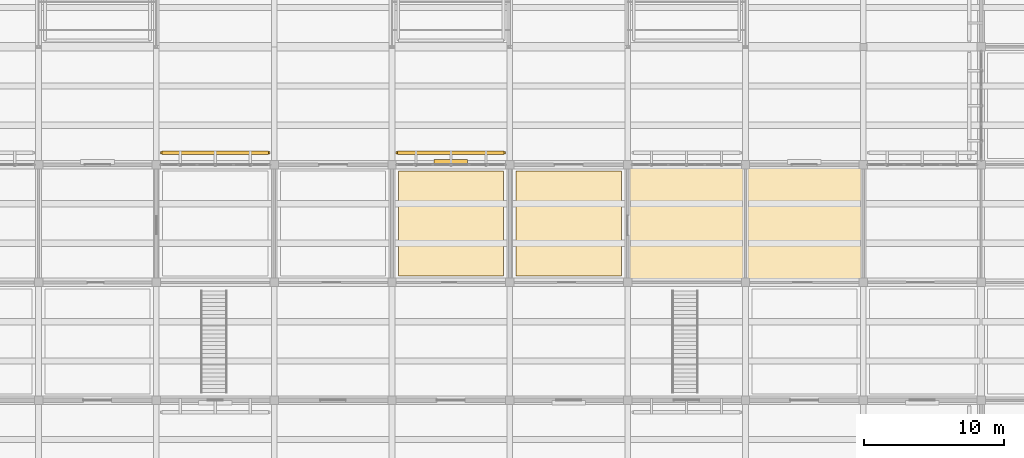
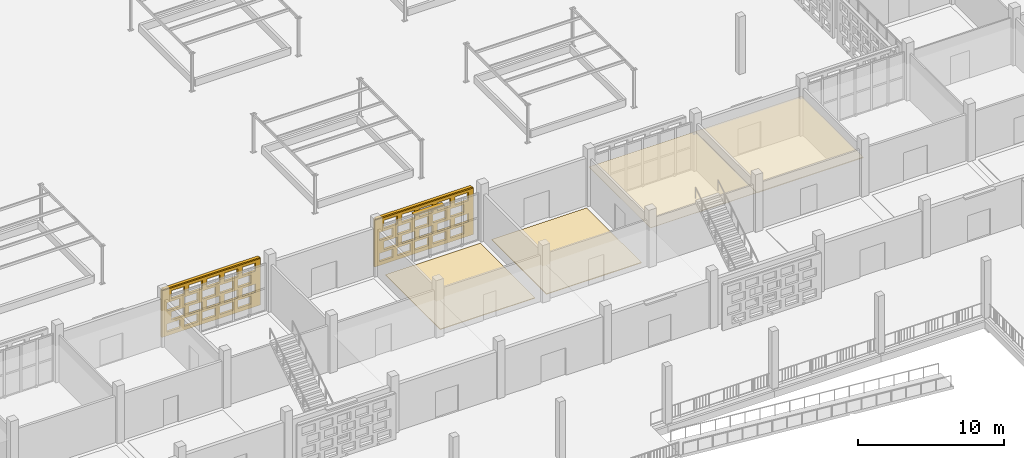
# One storey, part 94 of 129: 6 coverings, 3 shading devices, 40 openings.
"""IFC4 building model written with IfcOpenShell, lengths in metres."""

import ifcopenshell
import ifcopenshell.guid

model = None  # the IFC model being written
_history = None  # IfcOwnerHistory: only IFC2X3 demands one
_inside = {}  # id of a spatial element -> (the spatial element, [elements in it])
_under = {}  # id of a project, library or spatial element -> (it, [spatial elements below it])
_declared = {}  # id of a project -> (the project, [libraries it declares])
_typed = {}  # id of a type object -> (the type object, [elements of that type])
_made_of = {}  # id of a material, layer set ... -> (it, [elements and type objects made of it])


def new_model(schema):
    """Start an empty IFC model of exactly this schema.

    Asked for "IFC4X3", IfcOpenShell would pick the latest addendum, in which some entities
    have other attributes; the version numbers below select the first issue.
    IFC2X3 requires an IfcOwnerHistory on every rooted entity: one is made here for all.
    """
    global model, _history
    if schema == "IFC4X3":
        model = ifcopenshell.file(schema_version=(4, 3, 0, 0))
    else:
        model = ifcopenshell.file(schema=schema)
    _inside.clear()
    _under.clear()
    _declared.clear()
    _typed.clear()
    _made_of.clear()
    _history = None
    if model.schema == "IFC2X3":
        org = make("IfcOrganization", Name="unknown")
        user = make(
            "IfcPersonAndOrganization",
            ThePerson=make("IfcPerson", FamilyName="unknown"),
            TheOrganization=org,
        )
        app = make(
            "IfcApplication",
            ApplicationDeveloper=org,
            Version="unknown",
            ApplicationFullName="unknown",
            ApplicationIdentifier="unknown",
        )
        _history = make(
            "IfcOwnerHistory",
            OwningUser=user,
            OwningApplication=app,
            ChangeAction="ADDED",
            CreationDate=0,
        )
    return model


def make(cls, **values):
    """One entity of the class cls with the attributes given. An attribute that is None is left unset."""
    return model.create_entity(
        cls, **{name: value for name, value in values.items() if value is not None}
    )


def rooted(cls, **values):
    """An entity with a GlobalId (a new one), such as an element, a storey or a relation."""
    return make(cls, GlobalId=ifcopenshell.guid.new(), OwnerHistory=_history, **values)


def si_unit(unit_type, name, prefix=None):
    """IfcSIUnit, for example si_unit("LENGTHUNIT", "METRE", prefix="MILLI")."""
    return make("IfcSIUnit", UnitType=unit_type, Prefix=prefix, Name=name)


def assignment(units):
    """IfcUnitAssignment: the units of a project."""
    return None if units is None else make("IfcUnitAssignment", Units=units)


def point(xyz):
    """IfcCartesianPoint."""
    return None if xyz is None else make("IfcCartesianPoint", Coordinates=xyz)


def direction(xyz):
    """IfcDirection."""
    return None if xyz is None else make("IfcDirection", DirectionRatios=xyz)


def frame(location, z_axis=None, x_axis=None):
    """IfcAxis2Placement3D, a coordinate frame: its origin and axes. An axis left out is left unset."""
    return make(
        "IfcAxis2Placement3D",
        Location=point(location),
        Axis=direction(z_axis),
        RefDirection=direction(x_axis),
    )


def frame_2d(location, x_axis=None):
    """IfcAxis2Placement2D, a coordinate frame in the plane: its origin and x axis."""
    return make(
        "IfcAxis2Placement2D", Location=point(location), RefDirection=direction(x_axis)
    )


def origin():
    """The frame at (0, 0, 0) with its axes left unset."""
    return frame((0.0, 0.0, 0.0))


def origin_2d():
    """The frame at (0, 0) in the plane with its x axis left unset."""
    return frame_2d((0.0, 0.0))


def place(relative_to, where):
    """IfcLocalPlacement: puts the frame where relative to a parent placement (None: the world)."""
    return make(
        "IfcLocalPlacement", PlacementRelTo=relative_to, RelativePlacement=where
    )


def context(
    kind, dimensions, precision=None, world=None, true_north=None, identifier=None
):
    """IfcGeometricRepresentationContext, for example the 3D "Model" context."""
    return make(
        "IfcGeometricRepresentationContext",
        ContextIdentifier=identifier,
        ContextType=kind,
        CoordinateSpaceDimension=dimensions,
        Precision=precision,
        WorldCoordinateSystem=world,
        TrueNorth=true_north,
    )


def subcontext(parent, identifier, kind, view, scale=None):
    """IfcGeometricRepresentationSubContext, for example "Body" below "Model"."""
    return make(
        "IfcGeometricRepresentationSubContext",
        ContextIdentifier=identifier,
        ContextType=kind,
        ParentContext=parent,
        TargetScale=scale,
        TargetView=view,
    )


def project(units=None, contexts=None):
    """IfcProject with its units and contexts."""
    return rooted(
        "IfcProject",
        Name="project",
        RepresentationContexts=contexts,
        UnitsInContext=assignment(units),
    )


def spatial(cls, under=None, at=None, **own):
    """A site, building, storey or space (cls), placed at a placement, below another one or the project."""
    s = rooted(cls, ObjectPlacement=at, **own)
    if under is not None:
        _under.setdefault(under.id(), (under, []))[1].append(s)
    return s


def profile(cls, at=None, kind="AREA", **sizes):
    """A parametric profile (cls). Its sizes go by their IFC names, for example OverallWidth=200.0."""
    return make(cls, ProfileType=kind, Position=at, **sizes)


def rectangle(**sizes):
    """IfcRectangleProfileDef."""
    return profile("IfcRectangleProfileDef", **sizes)


def extrude(swept, where, along, depth):
    """IfcExtrudedAreaSolid: the profile swept, set in the frame where, extruded along a direction by depth."""
    return make(
        "IfcExtrudedAreaSolid",
        SweptArea=swept,
        Position=where,
        ExtrudedDirection=direction(along),
        Depth=depth,
    )


def shape(context_of_items, identifier, shape_type, items):
    """IfcShapeRepresentation: the items that make up one representation, for example the "Body"."""
    return make(
        "IfcShapeRepresentation",
        ContextOfItems=context_of_items,
        RepresentationIdentifier=identifier,
        RepresentationType=shape_type,
        Items=items,
    )


def material(Name=None, Category=None):
    """IfcMaterial."""
    return make("IfcMaterial", Name=Name, Category=Category)


def layer(
    of_material, thickness, ventilated=None, Name=None, Category=None, Priority=None
):
    """IfcMaterialLayer: one layer of a wall or slab, of a material (None: an air gap)."""
    return make(
        "IfcMaterialLayer",
        Material=of_material,
        LayerThickness=thickness,
        IsVentilated=ventilated,
        Name=Name,
        Category=Category,
        Priority=Priority,
    )


def layer_set(layers, Name=None):
    """IfcMaterialLayerSet."""
    return make("IfcMaterialLayerSet", MaterialLayers=layers, LayerSetName=Name)


def made_of(thing, what):
    """Note that an element or type object is made of a material, layer set ...; save() writes the relation."""
    if what is not None:
        _made_of.setdefault(what.id(), (what, []))[1].append(thing)
    return thing


def type_object(cls, material=None, **own):
    """A type object (cls), such as IfcWallType, which elements share."""
    return made_of(rooted(cls, **own), material)


def element(
    cls,
    number,
    at=None,
    inside=None,
    cuts=None,
    type_object=None,
    material=None,
    context=None,
    identifier="Body",
    shape_type=None,
    held_by="IfcProductDefinitionShape",
    body=None,
    shapes=None,
    **own,
):
    """One element of the class cls, such as IfcWall. Its Tag is "e" and its number.

    at: its placement. inside: the storey or other place that contains it. cuts: it is an
    opening in that element (IfcRelVoidsElement). A single representation is given by context,
    identifier, shape_type and body (its items); several are given by shapes. held_by: the class
    of the entity that holds the representations. save() writes the other relations.
    """
    e = rooted(cls, Tag="e%d" % number, ObjectPlacement=at, **own)
    if body is not None:
        shapes = [shape(context, identifier, shape_type, body)]
    if shapes is not None:
        e.Representation = make(held_by, Representations=shapes)
    if inside is not None:
        _inside.setdefault(inside.id(), (inside, []))[1].append(e)
    if cuts is not None:
        rooted(
            "IfcRelVoidsElement", RelatingBuildingElement=cuts, RelatedOpeningElement=e
        )
    if type_object is not None:
        _typed.setdefault(type_object.id(), (type_object, []))[1].append(e)
    return made_of(e, material)


def aggregate(whole, parts):
    """IfcRelAggregates: a whole, such as a stair, and the parts it consists of."""
    return rooted("IfcRelAggregates", RelatingObject=whole, RelatedObjects=parts)


def save(model, path):
    """Write the relations noted so far, then the file.

    IfcRelAggregates (storeys below a building ...), IfcRelContainedInSpatialStructure (elements
    in a storey), IfcRelDefinesByType, IfcRelAssociatesMaterial and IfcRelDeclares: one each for
    every whole, place, type object, material and project.
    """
    for whole, parts in _under.values():
        aggregate(whole, parts)
    for where, things in _inside.values():
        rooted(
            "IfcRelContainedInSpatialStructure",
            RelatedElements=things,
            RelatingStructure=where,
        )
    for kind, things in _typed.values():
        rooted("IfcRelDefinesByType", RelatedObjects=things, RelatingType=kind)
    for what, things in _made_of.values():
        rooted("IfcRelAssociatesMaterial", RelatedObjects=things, RelatingMaterial=what)
    for by, libraries in _declared.values():
        rooted("IfcRelDeclares", RelatingContext=by, RelatedDefinitions=libraries)
    model.write(path)


model = new_model("IFC4")

# Units and contexts
model_context = context("Model", 3, precision=1e-05, world=origin(), true_north=direction((0.0, 1.0)))
body_context = subcontext(model_context, "Body", "Model", "MODEL_VIEW")
ifc_project = project(units=[si_unit("LENGTHUNIT", "METRE"), si_unit("AREAUNIT", "SQUARE_METRE"), si_unit("VOLUMEUNIT", "CUBIC_METRE"), si_unit("PLANEANGLEUNIT", "RADIAN"), si_unit("MASSUNIT", "GRAM", prefix="KILO")], contexts=[model_context])

# Site, building, storey
site_placement = place(None, origin())
site = spatial("IfcSite", under=ifc_project, at=site_placement, CompositionType="ELEMENT")
building_placement = place(site_placement, origin())
building = spatial("IfcBuilding", under=site, at=building_placement, Name="Varnapada Polytechnic", CompositionType="ELEMENT")
storey_placement = place(building_placement, origin())
storey = spatial("IfcBuildingStorey", under=building, at=storey_placement, Name="L00", CompositionType="ELEMENT", Elevation=0.0)

# Coverings
ifc_material_1 = material(Name="Anti-Static Raised Laboratory Flooring")
ifc_layer_1 = layer(ifc_material_1, 0.06005859375)
ifc_layer_set_1 = layer_set([ifc_layer_1], Name="Anti-Static Raised Laboratory Flooring")
covering_type_1 = type_object("IfcCoveringType", Name="Floor Finish FLR-02", PredefinedType="FLOORING", material=ifc_layer_set_1)
covering_1_placement = place(storey_placement, frame((105.0, 37.800048828125, 0.0), z_axis=(0.0, 0.0, 1.0), x_axis=(1.0, 0.0, 0.0)))
element("IfcCovering", 1, at=covering_1_placement, inside=storey, type_object=covering_type_1, Name="L00 floor finish panel (13,5)", PredefinedType="FLOORING", context=body_context, shape_type="SweptSolid", body=[
    extrude(rectangle(XDim=7.5, YDim=7.5, at=origin_2d()), origin(), (0.0, 0.0, 1.0), 0.06005859375),
])
ifc_material_2 = material(Name="End-Grain Timber Studio Block Flooring", Category="wood")
ifc_layer_2 = layer(ifc_material_2, 0.054931640625)
ifc_layer_set_2 = layer_set([ifc_layer_2], Name="End-Grain Timber Studio Block Flooring")
covering_type_2 = type_object("IfcCoveringType", Name="Floor Finish FLR-04", PredefinedType="FLOORING", material=ifc_layer_set_2)
covering_2_placement = place(storey_placement, frame((96.60009765625, 37.800048828125, 0.0), z_axis=(0.0, 0.0, 1.0), x_axis=(1.0, 0.0, 0.0)))
element("IfcCovering", 2, at=covering_2_placement, inside=storey, type_object=covering_type_2, Name="L00 floor finish panel (12,5)", PredefinedType="FLOORING", context=body_context, shape_type="SweptSolid", body=[
    extrude(rectangle(XDim=7.5, YDim=7.5, at=origin_2d()), origin(), (0.0, 0.0, 1.0), 0.054931640625),
])

# Shading device
ifc_material_3 = material(Name="Anodised aluminium", Category="aluminium")
ifc_layer_3 = layer(ifc_material_3, 0.35009765625)
ifc_layer_set_3 = layer_set([ifc_layer_3], Name="Anodised aluminium")
shading_device_type_1 = type_object("IfcShadingDeviceType", Name="Solar Louvre LVR-01", PredefinedType="JALOUSIE", material=ifc_layer_set_3)
shading_device_placement = place(storey_placement, frame((96.60009765625, 42.179931640625, 3.760009765625), z_axis=(0.0, 0.0, 1.0), x_axis=(1.0, 0.0, 0.0)))
element("IfcShadingDevice", 3, at=shading_device_placement, inside=storey, type_object=shading_device_type_1, Name="L00 aluminium sun louvre 61", PredefinedType="JALOUSIE", context=body_context, shape_type="SweptSolid", body=[
    extrude(rectangle(XDim=2.39990234375, YDim=0.340087890625, at=origin_2d()), origin(), (0.0, 0.0, 1.0), 0.1201171875),
])

# Coverings
ifc_material_4 = material(Name="Moisture-Resistant Aluminum Baffle Ceiling", Category="aluminium")
ifc_layer_4 = layer(ifc_material_4, 0.030029296875)
ifc_layer_set_4 = layer_set([ifc_layer_4], Name="Moisture-Resistant Aluminum Baffle Ceiling")
covering_type_3 = type_object("IfcCoveringType", Name="Suspended Ceiling CLG-03", PredefinedType="CEILING", material=ifc_layer_set_4)
covering_3_placement = place(storey_placement, frame((113.39990234375, 37.800048828125, 3.03515625), z_axis=(0.0, 0.0, 1.0), x_axis=(1.0, 0.0, 0.0)))
element("IfcCovering", 4, at=covering_3_placement, inside=storey, type_object=covering_type_3, Name="L00 suspended acoustic ceiling (14,5)", PredefinedType="CEILING", context=body_context, shape_type="SweptSolid", body=[
    extrude(rectangle(XDim=8.419921875, YDim=8.419921875, at=origin_2d()), origin(), (0.0, 0.0, 1.0), 0.030029296875),
])
ifc_material_5 = material(Name="Deep Acoustic Auditorium Cloud Baffle")
ifc_layer_5 = layer(ifc_material_5, 0.06494140625)
ifc_layer_set_5 = layer_set([ifc_layer_5], Name="Deep Acoustic Auditorium Cloud Baffle")
covering_type_4 = type_object("IfcCoveringType", Name="Suspended Ceiling CLG-07", PredefinedType="CEILING", material=ifc_layer_set_5)
covering_4_placement = place(storey_placement, frame((121.800048828125, 37.800048828125, 3.017578125), z_axis=(0.0, 0.0, 1.0), x_axis=(1.0, 0.0, 0.0)))
element("IfcCovering", 5, at=covering_4_placement, inside=storey, type_object=covering_type_4, Name="L00 suspended acoustic ceiling (15,5)", PredefinedType="CEILING", context=body_context, shape_type="SweptSolid", body=[
    extrude(rectangle(XDim=8.419921875, YDim=8.419921875, at=origin_2d()), origin(), (0.0, 0.0, 1.0), 0.06494140625),
])

# Covering, openings
ifc_material_6 = material(Name="Earth-toned architectural terracotta screen block", Category="masonry")
ifc_layer_6 = layer(ifc_material_6, 0.1201171875)
ifc_layer_set_6 = layer_set([ifc_layer_6], Name="Earth-toned architectural terracotta screen block")
covering_type_5 = type_object("IfcCoveringType", Name="Terracotta Screen Cladding CLD-01", PredefinedType="CLADDING", material=ifc_layer_set_6)
covering_5_placement = place(storey_placement, frame((75.89990234375, 42.85009765625, 0.0), z_axis=(0.0, 0.0, 1.0), x_axis=(1.0, 0.0, 0.0)))
covering_5 = element("IfcCovering", 6, at=covering_5_placement, inside=storey, type_object=covering_type_5, Name="L00 perforated terracotta block screen (53)", PredefinedType="CLADDING", context=body_context, shape_type="SweptSolid", body=[
    extrude(rectangle(XDim=7.800048828125, YDim=0.179931640625, at=frame_2d((3.89990234375, 0.0))), origin(), (0.0, 0.0, 1.0), 3.919921875),
])
opening_1_placement = place(covering_5_placement, frame((0.39990234375, 0.0, 0.313720703125)))
element("IfcOpeningElement", 7, at=opening_1_placement, cuts=covering_5, Name="Screen perforation TBS-L00-052.1", PredefinedType="OPENING", context=body_context, shape_type="SweptSolid", body=[
    extrude(rectangle(XDim=1.0400390625, YDim=0.679931640625, at=frame_2d((0.52001953125, 0.33984375))), frame((0.0, 0.099853515625, 0.0), z_axis=(0.0, -1.0, 0.0), x_axis=(1.0, 0.0, 0.0)), (0.0, 0.0, 1.0), 0.199951171875),
])
opening_2_placement = place(covering_5_placement, frame((1.800048828125, 0.0, 0.313720703125)))
element("IfcOpeningElement", 8, at=opening_2_placement, cuts=covering_5, Name="Screen perforation TBS-L00-052.2", PredefinedType="OPENING", context=body_context, shape_type="SweptSolid", body=[
    extrude(rectangle(XDim=1.0400390625, YDim=0.679931640625, at=frame_2d((0.52001953125, 0.33984375))), frame((0.0, 0.099853515625, 0.0), z_axis=(0.0, -1.0, 0.0), x_axis=(1.0, 0.0, 0.0)), (0.0, 0.0, 1.0), 0.199951171875),
])
opening_3_placement = place(covering_5_placement, frame((3.199951171875, 0.0, 0.313720703125)))
element("IfcOpeningElement", 9, at=opening_3_placement, cuts=covering_5, Name="Screen perforation TBS-L00-052.3", PredefinedType="OPENING", context=body_context, shape_type="SweptSolid", body=[
    extrude(rectangle(XDim=1.0400390625, YDim=0.679931640625, at=frame_2d((0.52001953125, 0.33984375))), frame((0.0, 0.099853515625, 0.0), z_axis=(0.0, -1.0, 0.0), x_axis=(1.0, 0.0, 0.0)), (0.0, 0.0, 1.0), 0.199951171875),
])
opening_4_placement = place(covering_5_placement, frame((4.60009765625, 0.0, 0.313720703125)))
element("IfcOpeningElement", 10, at=opening_4_placement, cuts=covering_5, Name="Screen perforation TBS-L00-052.4", PredefinedType="OPENING", context=body_context, shape_type="SweptSolid", body=[
    extrude(rectangle(XDim=1.0400390625, YDim=0.679931640625, at=frame_2d((0.52001953125, 0.33984375))), frame((0.0, 0.099853515625, 0.0), z_axis=(0.0, -1.0, 0.0), x_axis=(1.0, 0.0, 0.0)), (0.0, 0.0, 1.0), 0.199951171875),
])
opening_5_placement = place(covering_5_placement, frame((6.0, 0.0, 0.313720703125)))
element("IfcOpeningElement", 11, at=opening_5_placement, cuts=covering_5, Name="Screen perforation TBS-L00-052.5", PredefinedType="OPENING", context=body_context, shape_type="SweptSolid", body=[
    extrude(rectangle(XDim=1.0400390625, YDim=0.679931640625, at=frame_2d((0.52001953125, 0.33984375))), frame((0.0, 0.099853515625, 0.0), z_axis=(0.0, -1.0, 0.0), x_axis=(1.0, 0.0, 0.0)), (0.0, 0.0, 1.0), 0.199951171875),
])
opening_6_placement = place(covering_5_placement, frame((0.760009765625, 0.0, 1.195556640625)))
element("IfcOpeningElement", 12, at=opening_6_placement, cuts=covering_5, Name="Screen perforation TBS-L00-052.6", PredefinedType="OPENING", context=body_context, shape_type="SweptSolid", body=[
    extrude(rectangle(XDim=1.0400390625, YDim=0.679931640625, at=frame_2d((0.52001953125, 0.33984375))), frame((0.0, 0.099853515625, 0.0), z_axis=(0.0, -1.0, 0.0), x_axis=(1.0, 0.0, 0.0)), (0.0, 0.0, 1.0), 0.199951171875),
])
opening_7_placement = place(covering_5_placement, frame((2.159912109375, 0.0, 1.195556640625)))
element("IfcOpeningElement", 13, at=opening_7_placement, cuts=covering_5, Name="Screen perforation TBS-L00-052.7", PredefinedType="OPENING", context=body_context, shape_type="SweptSolid", body=[
    extrude(rectangle(XDim=1.0400390625, YDim=0.679931640625, at=frame_2d((0.52001953125, 0.33984375))), frame((0.0, 0.099853515625, 0.0), z_axis=(0.0, -1.0, 0.0), x_axis=(1.0, 0.0, 0.0)), (0.0, 0.0, 1.0), 0.199951171875),
])
opening_8_placement = place(covering_5_placement, frame((3.56005859375, 0.0, 1.195556640625)))
element("IfcOpeningElement", 14, at=opening_8_placement, cuts=covering_5, Name="Screen perforation TBS-L00-052.8", PredefinedType="OPENING", context=body_context, shape_type="SweptSolid", body=[
    extrude(rectangle(XDim=1.0400390625, YDim=0.679931640625, at=frame_2d((0.52001953125, 0.33984375))), frame((0.0, 0.099853515625, 0.0), z_axis=(0.0, -1.0, 0.0), x_axis=(1.0, 0.0, 0.0)), (0.0, 0.0, 1.0), 0.199951171875),
])
opening_9_placement = place(covering_5_placement, frame((4.9599609375, 0.0, 1.195556640625)))
element("IfcOpeningElement", 15, at=opening_9_placement, cuts=covering_5, Name="Screen perforation TBS-L00-052.9", PredefinedType="OPENING", context=body_context, shape_type="SweptSolid", body=[
    extrude(rectangle(XDim=1.0400390625, YDim=0.679931640625, at=frame_2d((0.52001953125, 0.33984375))), frame((0.0, 0.099853515625, 0.0), z_axis=(0.0, -1.0, 0.0), x_axis=(1.0, 0.0, 0.0)), (0.0, 0.0, 1.0), 0.199951171875),
])
opening_10_placement = place(covering_5_placement, frame((6.360107421875, 0.0, 1.195556640625)))
element("IfcOpeningElement", 16, at=opening_10_placement, cuts=covering_5, Name="Screen perforation TBS-L00-052.10", PredefinedType="OPENING", context=body_context, shape_type="SweptSolid", body=[
    extrude(rectangle(XDim=1.0400390625, YDim=0.679931640625, at=frame_2d((0.52001953125, 0.33984375))), frame((0.0, 0.099853515625, 0.0), z_axis=(0.0, -1.0, 0.0), x_axis=(1.0, 0.0, 0.0)), (0.0, 0.0, 1.0), 0.199951171875),
])
opening_11_placement = place(covering_5_placement, frame((0.39990234375, 0.0, 2.07763671875)))
element("IfcOpeningElement", 17, at=opening_11_placement, cuts=covering_5, Name="Screen perforation TBS-L00-052.11", PredefinedType="OPENING", context=body_context, shape_type="SweptSolid", body=[
    extrude(rectangle(XDim=1.0400390625, YDim=0.679931640625, at=frame_2d((0.52001953125, 0.33984375))), frame((0.0, 0.099853515625, 0.0), z_axis=(0.0, -1.0, 0.0), x_axis=(1.0, 0.0, 0.0)), (0.0, 0.0, 1.0), 0.199951171875),
])
opening_12_placement = place(covering_5_placement, frame((1.800048828125, 0.0, 2.07763671875)))
element("IfcOpeningElement", 18, at=opening_12_placement, cuts=covering_5, Name="Screen perforation TBS-L00-052.12", PredefinedType="OPENING", context=body_context, shape_type="SweptSolid", body=[
    extrude(rectangle(XDim=1.0400390625, YDim=0.679931640625, at=frame_2d((0.52001953125, 0.33984375))), frame((0.0, 0.099853515625, 0.0), z_axis=(0.0, -1.0, 0.0), x_axis=(1.0, 0.0, 0.0)), (0.0, 0.0, 1.0), 0.199951171875),
])
opening_13_placement = place(covering_5_placement, frame((3.199951171875, 0.0, 2.07763671875)))
element("IfcOpeningElement", 19, at=opening_13_placement, cuts=covering_5, Name="Screen perforation TBS-L00-052.13", PredefinedType="OPENING", context=body_context, shape_type="SweptSolid", body=[
    extrude(rectangle(XDim=1.0400390625, YDim=0.679931640625, at=frame_2d((0.52001953125, 0.33984375))), frame((0.0, 0.099853515625, 0.0), z_axis=(0.0, -1.0, 0.0), x_axis=(1.0, 0.0, 0.0)), (0.0, 0.0, 1.0), 0.199951171875),
])
opening_14_placement = place(covering_5_placement, frame((4.60009765625, 0.0, 2.07763671875)))
element("IfcOpeningElement", 20, at=opening_14_placement, cuts=covering_5, Name="Screen perforation TBS-L00-052.14", PredefinedType="OPENING", context=body_context, shape_type="SweptSolid", body=[
    extrude(rectangle(XDim=1.0400390625, YDim=0.679931640625, at=frame_2d((0.52001953125, 0.33984375))), frame((0.0, 0.099853515625, 0.0), z_axis=(0.0, -1.0, 0.0), x_axis=(1.0, 0.0, 0.0)), (0.0, 0.0, 1.0), 0.199951171875),
])
opening_15_placement = place(covering_5_placement, frame((6.0, 0.0, 2.07763671875)))
element("IfcOpeningElement", 21, at=opening_15_placement, cuts=covering_5, Name="Screen perforation TBS-L00-052.15", PredefinedType="OPENING", context=body_context, shape_type="SweptSolid", body=[
    extrude(rectangle(XDim=1.0400390625, YDim=0.679931640625, at=frame_2d((0.52001953125, 0.33984375))), frame((0.0, 0.099853515625, 0.0), z_axis=(0.0, -1.0, 0.0), x_axis=(1.0, 0.0, 0.0)), (0.0, 0.0, 1.0), 0.199951171875),
])
opening_16_placement = place(covering_5_placement, frame((0.760009765625, 0.0, 2.959716796875)))
element("IfcOpeningElement", 22, at=opening_16_placement, cuts=covering_5, Name="Screen perforation TBS-L00-052.16", PredefinedType="OPENING", context=body_context, shape_type="SweptSolid", body=[
    extrude(rectangle(XDim=1.0400390625, YDim=0.679931640625, at=frame_2d((0.52001953125, 0.33984375))), frame((0.0, 0.099853515625, 0.0), z_axis=(0.0, -1.0, 0.0), x_axis=(1.0, 0.0, 0.0)), (0.0, 0.0, 1.0), 0.199951171875),
])
opening_17_placement = place(covering_5_placement, frame((2.159912109375, 0.0, 2.959716796875)))
element("IfcOpeningElement", 23, at=opening_17_placement, cuts=covering_5, Name="Screen perforation TBS-L00-052.17", PredefinedType="OPENING", context=body_context, shape_type="SweptSolid", body=[
    extrude(rectangle(XDim=1.0400390625, YDim=0.679931640625, at=frame_2d((0.52001953125, 0.33984375))), frame((0.0, 0.099853515625, 0.0), z_axis=(0.0, -1.0, 0.0), x_axis=(1.0, 0.0, 0.0)), (0.0, 0.0, 1.0), 0.199951171875),
])
opening_18_placement = place(covering_5_placement, frame((3.56005859375, 0.0, 2.959716796875)))
element("IfcOpeningElement", 24, at=opening_18_placement, cuts=covering_5, Name="Screen perforation TBS-L00-052.18", PredefinedType="OPENING", context=body_context, shape_type="SweptSolid", body=[
    extrude(rectangle(XDim=1.0400390625, YDim=0.679931640625, at=frame_2d((0.52001953125, 0.33984375))), frame((0.0, 0.099853515625, 0.0), z_axis=(0.0, -1.0, 0.0), x_axis=(1.0, 0.0, 0.0)), (0.0, 0.0, 1.0), 0.199951171875),
])
opening_19_placement = place(covering_5_placement, frame((4.9599609375, 0.0, 2.959716796875)))
element("IfcOpeningElement", 25, at=opening_19_placement, cuts=covering_5, Name="Screen perforation TBS-L00-052.19", PredefinedType="OPENING", context=body_context, shape_type="SweptSolid", body=[
    extrude(rectangle(XDim=1.0400390625, YDim=0.679931640625, at=frame_2d((0.52001953125, 0.33984375))), frame((0.0, 0.099853515625, 0.0), z_axis=(0.0, -1.0, 0.0), x_axis=(1.0, 0.0, 0.0)), (0.0, 0.0, 1.0), 0.199951171875),
])
opening_20_placement = place(covering_5_placement, frame((6.360107421875, 0.0, 2.959716796875)))
element("IfcOpeningElement", 26, at=opening_20_placement, cuts=covering_5, Name="Screen perforation TBS-L00-052.20", PredefinedType="OPENING", context=body_context, shape_type="SweptSolid", body=[
    extrude(rectangle(XDim=1.0400390625, YDim=0.679931640625, at=frame_2d((0.52001953125, 0.33984375))), frame((0.0, 0.099853515625, 0.0), z_axis=(0.0, -1.0, 0.0), x_axis=(1.0, 0.0, 0.0)), (0.0, 0.0, 1.0), 0.199951171875),
])

covering_6_placement = place(storey_placement, frame((92.699951171875, 42.85009765625, 0.0), z_axis=(0.0, 0.0, 1.0), x_axis=(1.0, 0.0, 0.0)))
covering_6 = element("IfcCovering", 27, at=covering_6_placement, inside=storey, type_object=covering_type_5, Name="L00 perforated terracotta block screen (61)", PredefinedType="CLADDING", context=body_context, shape_type="SweptSolid", body=[
    extrude(rectangle(XDim=7.800048828125, YDim=0.179931640625, at=frame_2d((3.89990234375, 0.0))), origin(), (0.0, 0.0, 1.0), 3.919921875),
])
opening_21_placement = place(covering_6_placement, frame((0.39990234375, 0.0, 0.313720703125)))
element("IfcOpeningElement", 28, at=opening_21_placement, cuts=covering_6, Name="Screen perforation TBS-L00-060.1", PredefinedType="OPENING", context=body_context, shape_type="SweptSolid", body=[
    extrude(rectangle(XDim=1.0400390625, YDim=0.679931640625, at=frame_2d((0.52001953125, 0.33984375))), frame((0.0, 0.099853515625, 0.0), z_axis=(0.0, -1.0, 0.0), x_axis=(1.0, 0.0, 0.0)), (0.0, 0.0, 1.0), 0.199951171875),
])
opening_22_placement = place(covering_6_placement, frame((1.800048828125, 0.0, 0.313720703125)))
element("IfcOpeningElement", 29, at=opening_22_placement, cuts=covering_6, Name="Screen perforation TBS-L00-060.2", PredefinedType="OPENING", context=body_context, shape_type="SweptSolid", body=[
    extrude(rectangle(XDim=1.0400390625, YDim=0.679931640625, at=frame_2d((0.52001953125, 0.33984375))), frame((0.0, 0.099853515625, 0.0), z_axis=(0.0, -1.0, 0.0), x_axis=(1.0, 0.0, 0.0)), (0.0, 0.0, 1.0), 0.199951171875),
])
opening_23_placement = place(covering_6_placement, frame((3.199951171875, 0.0, 0.313720703125)))
element("IfcOpeningElement", 30, at=opening_23_placement, cuts=covering_6, Name="Screen perforation TBS-L00-060.3", PredefinedType="OPENING", context=body_context, shape_type="SweptSolid", body=[
    extrude(rectangle(XDim=1.0400390625, YDim=0.679931640625, at=frame_2d((0.52001953125, 0.33984375))), frame((0.0, 0.099853515625, 0.0), z_axis=(0.0, -1.0, 0.0), x_axis=(1.0, 0.0, 0.0)), (0.0, 0.0, 1.0), 0.199951171875),
])
opening_24_placement = place(covering_6_placement, frame((4.60009765625, 0.0, 0.313720703125)))
element("IfcOpeningElement", 31, at=opening_24_placement, cuts=covering_6, Name="Screen perforation TBS-L00-060.4", PredefinedType="OPENING", context=body_context, shape_type="SweptSolid", body=[
    extrude(rectangle(XDim=1.0400390625, YDim=0.679931640625, at=frame_2d((0.52001953125, 0.33984375))), frame((0.0, 0.099853515625, 0.0), z_axis=(0.0, -1.0, 0.0), x_axis=(1.0, 0.0, 0.0)), (0.0, 0.0, 1.0), 0.199951171875),
])
opening_25_placement = place(covering_6_placement, frame((6.0, 0.0, 0.313720703125)))
element("IfcOpeningElement", 32, at=opening_25_placement, cuts=covering_6, Name="Screen perforation TBS-L00-060.5", PredefinedType="OPENING", context=body_context, shape_type="SweptSolid", body=[
    extrude(rectangle(XDim=1.0400390625, YDim=0.679931640625, at=frame_2d((0.52001953125, 0.33984375))), frame((0.0, 0.099853515625, 0.0), z_axis=(0.0, -1.0, 0.0), x_axis=(1.0, 0.0, 0.0)), (0.0, 0.0, 1.0), 0.199951171875),
])
opening_26_placement = place(covering_6_placement, frame((0.760009765625, 0.0, 1.195556640625)))
element("IfcOpeningElement", 33, at=opening_26_placement, cuts=covering_6, Name="Screen perforation TBS-L00-060.6", PredefinedType="OPENING", context=body_context, shape_type="SweptSolid", body=[
    extrude(rectangle(XDim=1.0400390625, YDim=0.679931640625, at=frame_2d((0.52001953125, 0.33984375))), frame((0.0, 0.099853515625, 0.0), z_axis=(0.0, -1.0, 0.0), x_axis=(1.0, 0.0, 0.0)), (0.0, 0.0, 1.0), 0.199951171875),
])
opening_27_placement = place(covering_6_placement, frame((2.159912109375, 0.0, 1.195556640625)))
element("IfcOpeningElement", 34, at=opening_27_placement, cuts=covering_6, Name="Screen perforation TBS-L00-060.7", PredefinedType="OPENING", context=body_context, shape_type="SweptSolid", body=[
    extrude(rectangle(XDim=1.0400390625, YDim=0.679931640625, at=frame_2d((0.52001953125, 0.33984375))), frame((0.0, 0.099853515625, 0.0), z_axis=(0.0, -1.0, 0.0), x_axis=(1.0, 0.0, 0.0)), (0.0, 0.0, 1.0), 0.199951171875),
])
opening_28_placement = place(covering_6_placement, frame((3.56005859375, 0.0, 1.195556640625)))
element("IfcOpeningElement", 35, at=opening_28_placement, cuts=covering_6, Name="Screen perforation TBS-L00-060.8", PredefinedType="OPENING", context=body_context, shape_type="SweptSolid", body=[
    extrude(rectangle(XDim=1.0400390625, YDim=0.679931640625, at=frame_2d((0.52001953125, 0.33984375))), frame((0.0, 0.099853515625, 0.0), z_axis=(0.0, -1.0, 0.0), x_axis=(1.0, 0.0, 0.0)), (0.0, 0.0, 1.0), 0.199951171875),
])
opening_29_placement = place(covering_6_placement, frame((4.9599609375, 0.0, 1.195556640625)))
element("IfcOpeningElement", 36, at=opening_29_placement, cuts=covering_6, Name="Screen perforation TBS-L00-060.9", PredefinedType="OPENING", context=body_context, shape_type="SweptSolid", body=[
    extrude(rectangle(XDim=1.0400390625, YDim=0.679931640625, at=frame_2d((0.52001953125, 0.33984375))), frame((0.0, 0.099853515625, 0.0), z_axis=(0.0, -1.0, 0.0), x_axis=(1.0, 0.0, 0.0)), (0.0, 0.0, 1.0), 0.199951171875),
])
opening_30_placement = place(covering_6_placement, frame((6.360107421875, 0.0, 1.195556640625)))
element("IfcOpeningElement", 37, at=opening_30_placement, cuts=covering_6, Name="Screen perforation TBS-L00-060.10", PredefinedType="OPENING", context=body_context, shape_type="SweptSolid", body=[
    extrude(rectangle(XDim=1.0400390625, YDim=0.679931640625, at=frame_2d((0.52001953125, 0.33984375))), frame((0.0, 0.099853515625, 0.0), z_axis=(0.0, -1.0, 0.0), x_axis=(1.0, 0.0, 0.0)), (0.0, 0.0, 1.0), 0.199951171875),
])
opening_31_placement = place(covering_6_placement, frame((0.39990234375, 0.0, 2.07763671875)))
element("IfcOpeningElement", 38, at=opening_31_placement, cuts=covering_6, Name="Screen perforation TBS-L00-060.11", PredefinedType="OPENING", context=body_context, shape_type="SweptSolid", body=[
    extrude(rectangle(XDim=1.0400390625, YDim=0.679931640625, at=frame_2d((0.52001953125, 0.33984375))), frame((0.0, 0.099853515625, 0.0), z_axis=(0.0, -1.0, 0.0), x_axis=(1.0, 0.0, 0.0)), (0.0, 0.0, 1.0), 0.199951171875),
])
opening_32_placement = place(covering_6_placement, frame((1.800048828125, 0.0, 2.07763671875)))
element("IfcOpeningElement", 39, at=opening_32_placement, cuts=covering_6, Name="Screen perforation TBS-L00-060.12", PredefinedType="OPENING", context=body_context, shape_type="SweptSolid", body=[
    extrude(rectangle(XDim=1.0400390625, YDim=0.679931640625, at=frame_2d((0.52001953125, 0.33984375))), frame((0.0, 0.099853515625, 0.0), z_axis=(0.0, -1.0, 0.0), x_axis=(1.0, 0.0, 0.0)), (0.0, 0.0, 1.0), 0.199951171875),
])
opening_33_placement = place(covering_6_placement, frame((3.199951171875, 0.0, 2.07763671875)))
element("IfcOpeningElement", 40, at=opening_33_placement, cuts=covering_6, Name="Screen perforation TBS-L00-060.13", PredefinedType="OPENING", context=body_context, shape_type="SweptSolid", body=[
    extrude(rectangle(XDim=1.0400390625, YDim=0.679931640625, at=frame_2d((0.52001953125, 0.33984375))), frame((0.0, 0.099853515625, 0.0), z_axis=(0.0, -1.0, 0.0), x_axis=(1.0, 0.0, 0.0)), (0.0, 0.0, 1.0), 0.199951171875),
])
opening_34_placement = place(covering_6_placement, frame((4.60009765625, 0.0, 2.07763671875)))
element("IfcOpeningElement", 41, at=opening_34_placement, cuts=covering_6, Name="Screen perforation TBS-L00-060.14", PredefinedType="OPENING", context=body_context, shape_type="SweptSolid", body=[
    extrude(rectangle(XDim=1.0400390625, YDim=0.679931640625, at=frame_2d((0.52001953125, 0.33984375))), frame((0.0, 0.099853515625, 0.0), z_axis=(0.0, -1.0, 0.0), x_axis=(1.0, 0.0, 0.0)), (0.0, 0.0, 1.0), 0.199951171875),
])
opening_35_placement = place(covering_6_placement, frame((6.0, 0.0, 2.07763671875)))
element("IfcOpeningElement", 42, at=opening_35_placement, cuts=covering_6, Name="Screen perforation TBS-L00-060.15", PredefinedType="OPENING", context=body_context, shape_type="SweptSolid", body=[
    extrude(rectangle(XDim=1.0400390625, YDim=0.679931640625, at=frame_2d((0.52001953125, 0.33984375))), frame((0.0, 0.099853515625, 0.0), z_axis=(0.0, -1.0, 0.0), x_axis=(1.0, 0.0, 0.0)), (0.0, 0.0, 1.0), 0.199951171875),
])
opening_36_placement = place(covering_6_placement, frame((0.760009765625, 0.0, 2.959716796875)))
element("IfcOpeningElement", 43, at=opening_36_placement, cuts=covering_6, Name="Screen perforation TBS-L00-060.16", PredefinedType="OPENING", context=body_context, shape_type="SweptSolid", body=[
    extrude(rectangle(XDim=1.0400390625, YDim=0.679931640625, at=frame_2d((0.52001953125, 0.33984375))), frame((0.0, 0.099853515625, 0.0), z_axis=(0.0, -1.0, 0.0), x_axis=(1.0, 0.0, 0.0)), (0.0, 0.0, 1.0), 0.199951171875),
])
opening_37_placement = place(covering_6_placement, frame((2.159912109375, 0.0, 2.959716796875)))
element("IfcOpeningElement", 44, at=opening_37_placement, cuts=covering_6, Name="Screen perforation TBS-L00-060.17", PredefinedType="OPENING", context=body_context, shape_type="SweptSolid", body=[
    extrude(rectangle(XDim=1.0400390625, YDim=0.679931640625, at=frame_2d((0.52001953125, 0.33984375))), frame((0.0, 0.099853515625, 0.0), z_axis=(0.0, -1.0, 0.0), x_axis=(1.0, 0.0, 0.0)), (0.0, 0.0, 1.0), 0.199951171875),
])
opening_38_placement = place(covering_6_placement, frame((3.56005859375, 0.0, 2.959716796875)))
element("IfcOpeningElement", 45, at=opening_38_placement, cuts=covering_6, Name="Screen perforation TBS-L00-060.18", PredefinedType="OPENING", context=body_context, shape_type="SweptSolid", body=[
    extrude(rectangle(XDim=1.0400390625, YDim=0.679931640625, at=frame_2d((0.52001953125, 0.33984375))), frame((0.0, 0.099853515625, 0.0), z_axis=(0.0, -1.0, 0.0), x_axis=(1.0, 0.0, 0.0)), (0.0, 0.0, 1.0), 0.199951171875),
])
opening_39_placement = place(covering_6_placement, frame((4.9599609375, 0.0, 2.959716796875)))
element("IfcOpeningElement", 46, at=opening_39_placement, cuts=covering_6, Name="Screen perforation TBS-L00-060.19", PredefinedType="OPENING", context=body_context, shape_type="SweptSolid", body=[
    extrude(rectangle(XDim=1.0400390625, YDim=0.679931640625, at=frame_2d((0.52001953125, 0.33984375))), frame((0.0, 0.099853515625, 0.0), z_axis=(0.0, -1.0, 0.0), x_axis=(1.0, 0.0, 0.0)), (0.0, 0.0, 1.0), 0.199951171875),
])
opening_40_placement = place(covering_6_placement, frame((6.360107421875, 0.0, 2.959716796875)))
element("IfcOpeningElement", 47, at=opening_40_placement, cuts=covering_6, Name="Screen perforation TBS-L00-060.20", PredefinedType="OPENING", context=body_context, shape_type="SweptSolid", body=[
    extrude(rectangle(XDim=1.0400390625, YDim=0.679931640625, at=frame_2d((0.52001953125, 0.33984375))), frame((0.0, 0.099853515625, 0.0), z_axis=(0.0, -1.0, 0.0), x_axis=(1.0, 0.0, 0.0)), (0.0, 0.0, 1.0), 0.199951171875),
])

# Shading devices
ifc_layer_7 = layer(ifc_material_6, 0.179931640625)
ifc_layer_set_7 = layer_set([ifc_layer_7], Name="Earth-toned architectural terracotta screen block")
shading_device_type_2 = type_object("IfcShadingDeviceType", Name="Terracotta Screen SCR-02", PredefinedType="USERDEFINED", material=ifc_layer_set_7)
for number, where, z_axis, x_axis, name in (
    (48, (79.800048828125, 42.85009765625, 3.909912109375), (0.0, 0.0, 1.0), (1.0, 0.0, 0.0), "L00 perforated terracotta screen hood 39"),
    (49, (96.60009765625, 42.85009765625, 3.909912109375), (0.0, 0.0, 1.0), (1.0, 0.0, 0.0), "L00 perforated terracotta screen hood 43"),
):
    element("IfcShadingDevice", number, at=place(storey_placement, frame(where, z_axis=z_axis, x_axis=x_axis)), inside=storey, type_object=shading_device_type_2, Name=name, ObjectType="SCREEN", PredefinedType="USERDEFINED", context=body_context, shape_type="SweptSolid", body=[
        extrude(rectangle(XDim=7.60009765625, YDim=0.239990234375, at=origin_2d()), origin(), (0.0, 0.0, 1.0), 0.10009765625),
    ])

save(model, "model.ifc")
